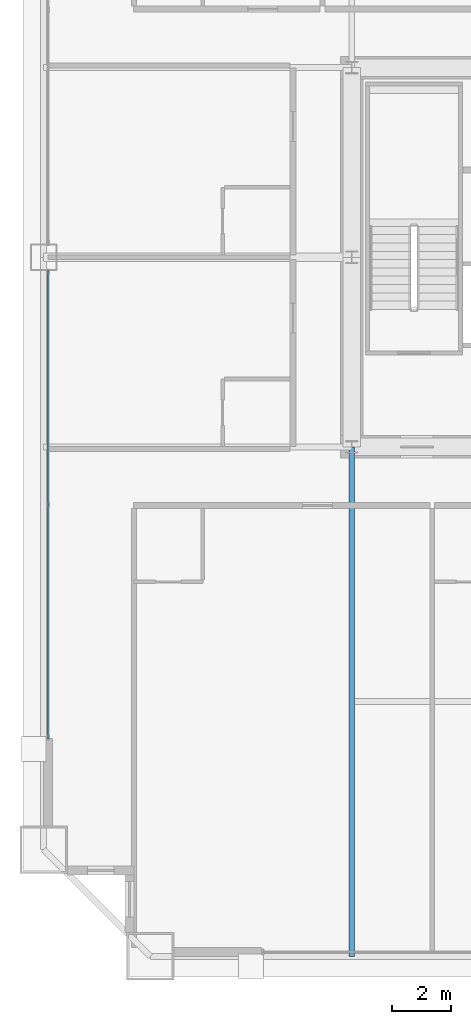
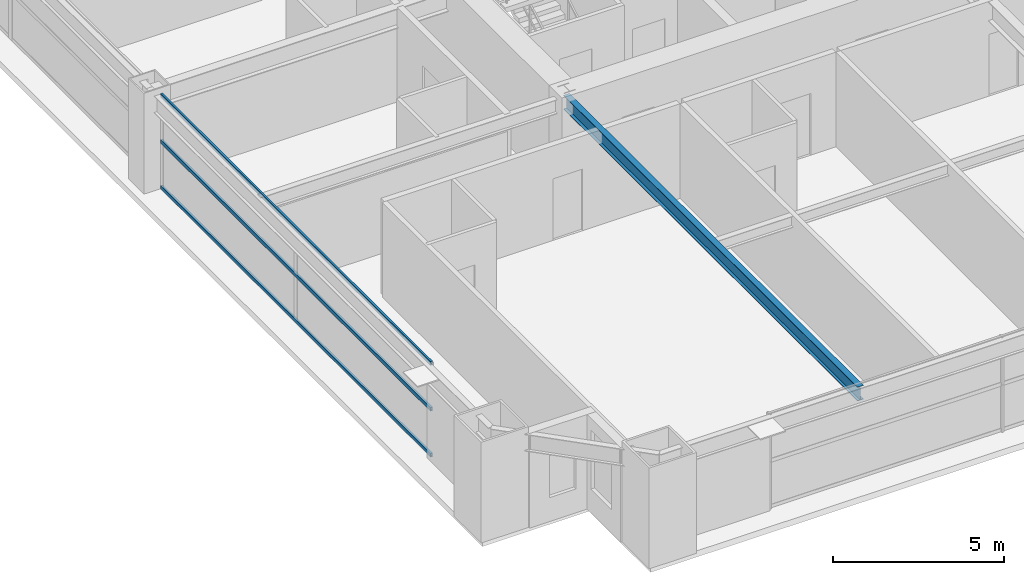
# One storey, part 9 of 39: 3 members, 1 beam, 1 element without a shape of its own.
"""IFC4 building model written with IfcOpenShell, lengths in metres."""

from ifc_helpers import new_model, si_unit, direction, frame, origin, origin_2d, place, context, subcontext, project, spatial, hollow_rectangle, i_section, extrude, source, transform, mapped, material, layer, layer_set, material_profile, profile_set, type_object, element, aggregate, save


model = new_model("IFC4")

# Units and contexts
model_context = context("Model", 3, precision=1e-05, world=origin(), true_north=direction((0.0, 1.0)))
body_context = subcontext(model_context, "Body", "Model", "MODEL_VIEW")
ifc_project = project(units=[si_unit("LENGTHUNIT", "METRE"), si_unit("AREAUNIT", "SQUARE_METRE"), si_unit("VOLUMEUNIT", "CUBIC_METRE"), si_unit("PLANEANGLEUNIT", "RADIAN"), si_unit("MASSUNIT", "GRAM", prefix="KILO"), si_unit("THERMODYNAMICTEMPERATUREUNIT", "KELVIN"), si_unit("POWERUNIT", "WATT")], contexts=[model_context])

# Site, building, storey
site_placement = place(None, origin())
site = spatial("IfcSite", under=ifc_project, at=site_placement, CompositionType="ELEMENT")
building_placement = place(site_placement, origin())
building = spatial("IfcBuilding", under=site, at=building_placement, Name="Yuzanri Waterfront Tower", CompositionType="ELEMENT")
storey_placement = place(building_placement, frame((0.0, 0.0, 141.60009765625)))
storey = spatial("IfcBuildingStorey", under=building, at=storey_placement, Name="L37", CompositionType="ELEMENT", Elevation=141.60009765625)

# Beam
ifc_material_1 = material(Name="Steel Q355B", Category="steel")
ifc_material_profile_1 = material_profile(ifc_material_1, i_section(OverallWidth=0.199951171875, OverallDepth=0.5, WebThickness=0.010009765625, FlangeThickness=0.01611328125, at=origin_2d()), Name="HN 500x200x10x16")
ifc_profile_set_1 = profile_set([ifc_material_profile_1], Name="Steel Q355B")
beam_type = type_object("IfcBeamType", Name="Secondary Floor Beam Q355B HN 500x200", PredefinedType="BEAM", material=ifc_profile_set_1)
shared_shape_1 = source(origin(), body_context, "Body", "SweptSolid", [
    extrude(i_section(OverallWidth=0.199951171875, OverallDepth=0.5, WebThickness=0.010009765625, FlangeThickness=0.01611328125, at=origin_2d()), origin(), (0.0, 0.0, 1.0), 17.199951171875),
])
beam_placement = place(storey_placement, frame((23.800048828125, 19.39990234375, 3.1298828125), z_axis=(0.0, -1.0, 0.0), x_axis=(1.0, 0.0, 0.0)))
element("IfcBeam", 1, at=beam_placement, inside=storey, type_object=beam_type, Name="L37 South-West Core Line Beam", PredefinedType="BEAM", context=body_context, shape_type="MappedRepresentation", body=[
    mapped(shared_shape_1, transform((0.0, 0.0, 0.0), scale=1.0)),
])

# Curtain wall, members
ifc_material_2 = material(Name="Anodized Architectural Bronze", Category="metal")
ifc_layer = layer(ifc_material_2, 0.159912109375)
ifc_layer_set = layer_set([ifc_layer], Name="Anodized Architectural Bronze")
curtain_wall_type = type_object("IfcCurtainWallType", Name="Anodized Bronze Hotel Upper-Tier Solar-Control Unitized Curtain Wall 7800", PredefinedType="NOTDEFINED", material=ifc_layer_set)
curtain_wall_placement = place(storey_placement, origin())
curtain_wall = element("IfcCurtainWall", 2, at=curtain_wall_placement, inside=storey, type_object=curtain_wall_type, Name="L37 Curtain Wall CW-L37-WL", PredefinedType="NOTDEFINED")
ifc_material_3 = material(Name="Anodized Architectural Bronze", Category="metal")
ifc_material_profile_2 = material_profile(ifc_material_3, hollow_rectangle(XDim=0.070068359375, YDim=0.135009765625, WallThickness=0.00341796875, at=origin_2d()), Name="CWT 70x135")
ifc_profile_set_2 = profile_set([ifc_material_profile_2], Name="Anodized Architectural Bronze")
member_type = type_object("IfcMemberType", Name="Anodized Bronze Standard Curtain-Wall Transom 70x135", PredefinedType="USERDEFINED", material=ifc_profile_set_2)
shared_shape_2 = source(origin(), body_context, "Body", "SweptSolid", [
    extrude(hollow_rectangle(XDim=0.070068359375, YDim=0.135009765625, WallThickness=0.00341796875, at=origin_2d()), origin(), (0.0, 0.0, 1.0), 15.800048828125),
])
member_1_placement = place(storey_placement, frame((13.550048828125, 9.550048828125, 0.0498046875), z_axis=(0.0, 1.0, 0.0), x_axis=(-1.0, 0.0, 0.0)))
member_1 = element("IfcMember", 3, at=member_1_placement, type_object=member_type, Name="CW-L37-WL Transom 1", ObjectType="TRANSOM", PredefinedType="USERDEFINED", context=body_context, shape_type="MappedRepresentation", body=[
    mapped(shared_shape_2, transform((0.0, 0.0, 0.0), scale=1.0)),
])
member_2_placement = place(storey_placement, frame((13.550048828125, 9.550048828125, 1.68994140625), z_axis=(0.0, 1.0, 0.0), x_axis=(-1.0, 0.0, 0.0)))
member_2 = element("IfcMember", 4, at=member_2_placement, type_object=member_type, Name="CW-L37-WL Transom 2", ObjectType="TRANSOM", PredefinedType="USERDEFINED", context=body_context, shape_type="MappedRepresentation", body=[
    mapped(shared_shape_2, transform((0.0, 0.0, 0.0), scale=1.0)),
])
member_3_placement = place(storey_placement, frame((13.550048828125, 9.550048828125, 3.329833984375), z_axis=(0.0, 1.0, 0.0), x_axis=(-1.0, 0.0, 0.0)))
member_3 = element("IfcMember", 5, at=member_3_placement, type_object=member_type, Name="CW-L37-WL Transom 3", ObjectType="TRANSOM", PredefinedType="USERDEFINED", context=body_context, shape_type="MappedRepresentation", body=[
    mapped(shared_shape_2, transform((0.0, 0.0, 0.0), scale=1.0)),
])
aggregate(curtain_wall, [member_1, member_2, member_3])

save(model, "model.ifc")
